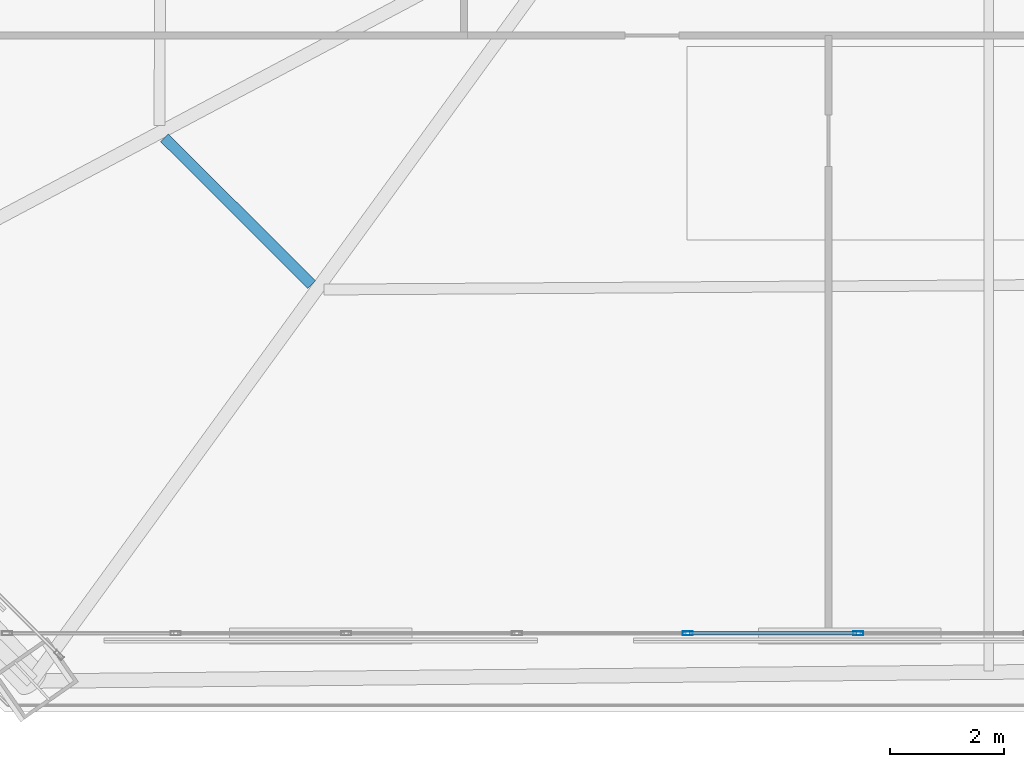
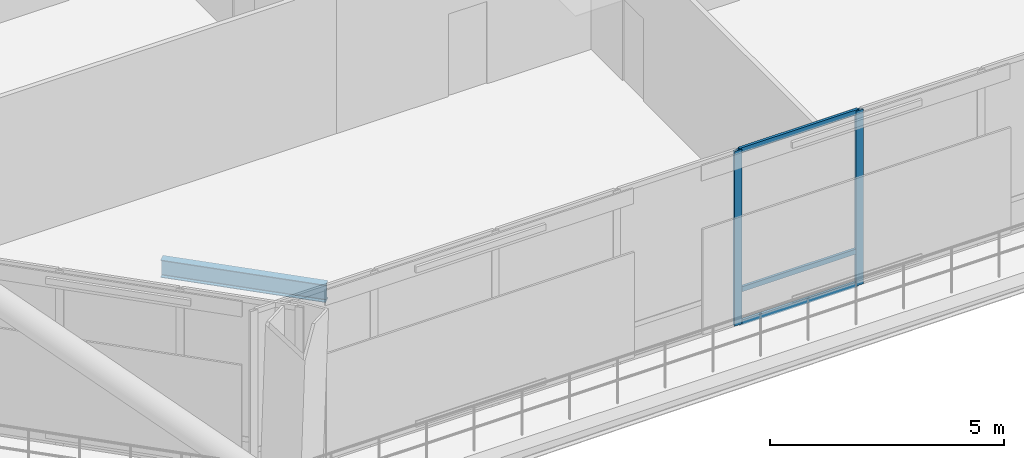
# One storey, part 8 of 48: 5 members, 1 beam, 1 element without a shape of its own.
"""IFC4 building model written with IfcOpenShell, lengths in metres."""

from ifc_helpers import new_model, si_unit, direction, frame, origin, origin_2d, place, context, subcontext, project, spatial, hollow_rectangle, i_section, extrude, material, layer, layer_set, material_profile, profile_set, type_object, element, aggregate, save


model = new_model("IFC4")

# Units and contexts
model_context = context("Model", 3, precision=1e-05, world=origin(), true_north=direction((0.0, 1.0)))
body_context = subcontext(model_context, "Body", "Model", "MODEL_VIEW")
ifc_project = project(units=[si_unit("LENGTHUNIT", "METRE"), si_unit("AREAUNIT", "SQUARE_METRE"), si_unit("VOLUMEUNIT", "CUBIC_METRE"), si_unit("PLANEANGLEUNIT", "RADIAN"), si_unit("MASSUNIT", "GRAM", prefix="KILO")], contexts=[model_context])

# Site, building, storey
site_placement = place(None, origin())
site = spatial("IfcSite", under=ifc_project, at=site_placement, CompositionType="ELEMENT")
building_placement = place(site_placement, origin())
building = spatial("IfcBuilding", under=site, at=building_placement, Name="Caelvoria Tower", CompositionType="ELEMENT")
storey_placement = place(building_placement, frame((0.0, 0.0, 90.39990234375)))
storey = spatial("IfcBuildingStorey", under=building, at=storey_placement, Name="L23", CompositionType="ELEMENT", Elevation=90.39990234375)

# Curtain wall, members
ifc_material_1 = material(Name="Anodised Bronze Aluminium and Low-E Glass", Category="aluminium")
ifc_layer = layer(ifc_material_1, 0.2099609375, Name="Anodised Bronze Aluminium and Low-E Glass")
ifc_layer_set = layer_set([ifc_layer], Name="CW System 3 Sky Lobby Double-Height Acoustic Facade - Anodised Bronze Aluminium and Low-E Glass")
curtain_wall_type = type_object("IfcCurtainWallType", Name="CW System 3 Sky Lobby Double-Height Acoustic Facade", PredefinedType="NOTDEFINED", material=ifc_layer_set)
curtain_wall_placement = place(storey_placement, origin())
curtain_wall = element("IfcCurtainWall", 1, at=curtain_wall_placement, inside=storey, type_object=curtain_wall_type, Name="CW-03 Curtain Wall L23-E0", PredefinedType="NOTDEFINED")
ifc_material_2 = material(Name="Anodised Bronze Architectural Aluminium", Category="aluminium")
ifc_material_profile_1 = material_profile(ifc_material_2, hollow_rectangle(XDim=0.070068359375, YDim=0.179931640625, WallThickness=0.00390625, at=origin_2d()), Name="Anodised Bronze Architectural Aluminium")
ifc_profile_set_1 = profile_set([ifc_material_profile_1], Name="CW_MULL_70X180 - Anodised Bronze Architectural Aluminium")
member_type_1 = type_object("IfcMemberType", Name="Curtain Wall Mullion 70x180 Bronze Aluminium", PredefinedType="MULLION", material=ifc_profile_set_1)
member_1_placement = place(storey_placement, frame((38.5126953125, 11.0966796875, 0.0), z_axis=(0.0, 0.0, 1.0), x_axis=(0.0, 1.0, 0.0)))
member_1 = element("IfcMember", 2, at=member_1_placement, type_object=member_type_1, Name="CW-03 mullion 5", PredefinedType="MULLION", context=body_context, shape_type="SweptSolid", body=[
    extrude(hollow_rectangle(XDim=0.070068359375, YDim=0.179931640625, WallThickness=0.00390625, at=origin_2d()), origin(), (0.0, 0.0, 1.0), 4.56005859375),
])
member_2_placement = place(storey_placement, frame((41.507568359375, 11.0966796875, 0.0), z_axis=(0.0, 0.0, 1.0), x_axis=(0.0, 1.0, 0.0)))
member_2 = element("IfcMember", 3, at=member_2_placement, type_object=member_type_1, Name="CW-03 mullion 6", PredefinedType="MULLION", context=body_context, shape_type="SweptSolid", body=[
    extrude(hollow_rectangle(XDim=0.070068359375, YDim=0.179931640625, WallThickness=0.00390625, at=origin_2d()), origin(), (0.0, 0.0, 1.0), 4.56005859375),
])
ifc_material_profile_2 = material_profile(ifc_material_2, hollow_rectangle(XDim=0.06494140625, YDim=0.1298828125, WallThickness=0.00341796875, at=origin_2d()), Name="Anodised Bronze Architectural Aluminium")
ifc_profile_set_2 = profile_set([ifc_material_profile_2], Name="CW_TRAN_65X130 - Anodised Bronze Architectural Aluminium")
member_type_2 = type_object("IfcMemberType", Name="Curtain Wall Transom 65x130 Bronze Aluminium", PredefinedType="USERDEFINED", material=ifc_profile_set_2)
member_3_placement = place(storey_placement, frame((38.5478515625, 11.0966796875, 0.03271484375), z_axis=(1.0, 0.0, 0.0), x_axis=(0.0, 1.0, 0.0)))
member_3 = element("IfcMember", 4, at=member_3_placement, type_object=member_type_2, Name="CW-03 transom 5.1", ObjectType="TRANSOM", PredefinedType="USERDEFINED", context=body_context, shape_type="SweptSolid", body=[
    extrude(hollow_rectangle(XDim=0.06494140625, YDim=0.1298828125, WallThickness=0.00341796875, at=origin_2d()), origin(), (0.0, 0.0, 1.0), 2.9248046875),
])
member_4_placement = place(storey_placement, frame((38.5478515625, 11.0966796875, 0.900146484375), z_axis=(1.0, 0.0, 0.0), x_axis=(0.0, 1.0, 0.0)))
member_4 = element("IfcMember", 5, at=member_4_placement, type_object=member_type_2, Name="CW-03 transom 5.2", ObjectType="TRANSOM", PredefinedType="USERDEFINED", context=body_context, shape_type="SweptSolid", body=[
    extrude(hollow_rectangle(XDim=0.06494140625, YDim=0.1298828125, WallThickness=0.00341796875, at=origin_2d()), origin(), (0.0, 0.0, 1.0), 2.9248046875),
])
member_5_placement = place(storey_placement, frame((38.5478515625, 11.0966796875, 4.527587890625), z_axis=(1.0, 0.0, 0.0), x_axis=(0.0, 1.0, 0.0)))
member_5 = element("IfcMember", 6, at=member_5_placement, type_object=member_type_2, Name="CW-03 transom 5.3", ObjectType="TRANSOM", PredefinedType="USERDEFINED", context=body_context, shape_type="SweptSolid", body=[
    extrude(hollow_rectangle(XDim=0.06494140625, YDim=0.1298828125, WallThickness=0.00341796875, at=origin_2d()), origin(), (0.0, 0.0, 1.0), 2.9248046875),
])
aggregate(curtain_wall, [member_1, member_2, member_3, member_4, member_5])

# Beam
ifc_material_3 = material(Name="Structural Steel ASTM A992 Gr.50", Category="steel")
ifc_material_profile_3 = material_profile(ifc_material_3, i_section(OverallWidth=0.18994140625, OverallDepth=0.45703125, WebThickness=0.009033203125, FlangeThickness=0.014404296875, FilletRadius=0.014892578125, at=origin_2d()), Name="Structural Steel ASTM A992 Gr.50")
ifc_profile_set_3 = profile_set([ifc_material_profile_3], Name="W460X74 - Structural Steel ASTM A992 Gr.50")
beam_type = type_object("IfcBeamType", Name="Secondary Floor Beam W460X74", PredefinedType="BEAM", material=ifc_profile_set_3)
beam_placement = place(storey_placement, frame((29.330322265625, 19.7939453125, -0.54833984375), z_axis=(0.708243123009, -0.705968610287, 0.0), x_axis=(0.705968610287, 0.708243123009, 0.0)))
element("IfcBeam", 7, at=beam_placement, inside=storey, type_object=beam_type, Name="Secondary Floor Beam L23-11", PredefinedType="BEAM", context=body_context, shape_type="SweptSolid", body=[
    extrude(i_section(OverallWidth=0.18994140625, OverallDepth=0.45703125, WebThickness=0.009033203125, FlangeThickness=0.014404296875, FilletRadius=0.014892578125, at=origin_2d()), origin(), (0.0, 0.0, 1.0), 3.6494140625),
])

save(model, "model.ifc")
